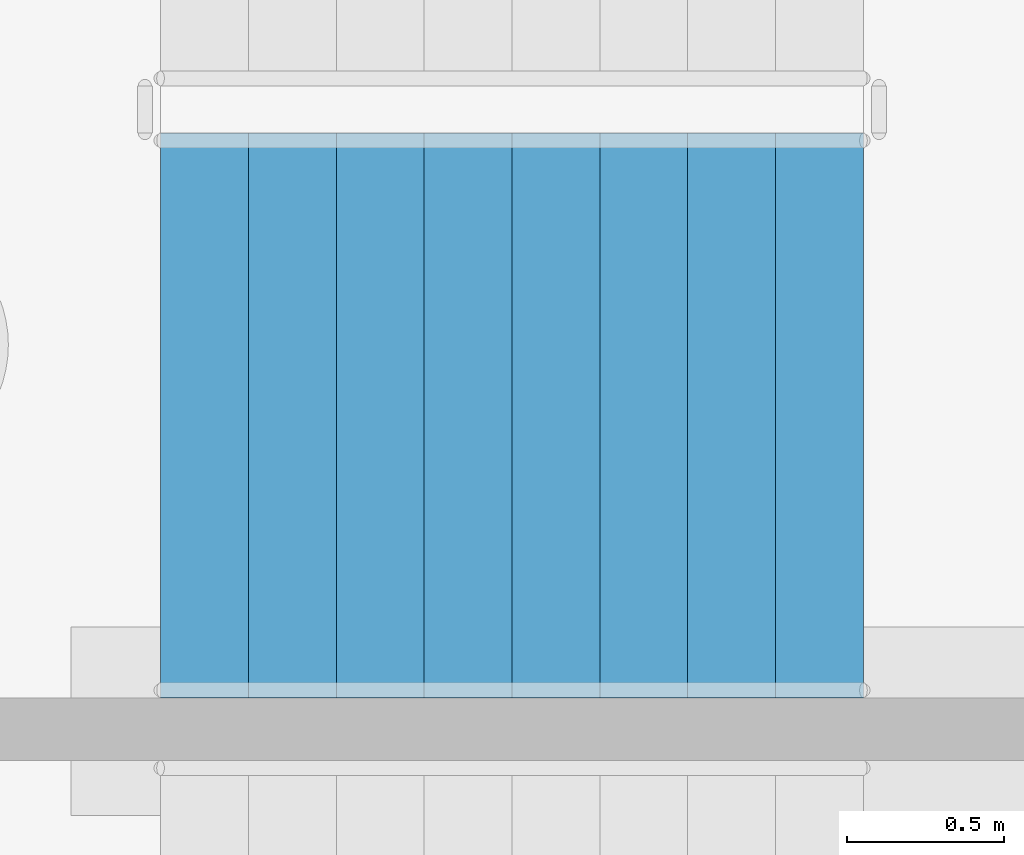
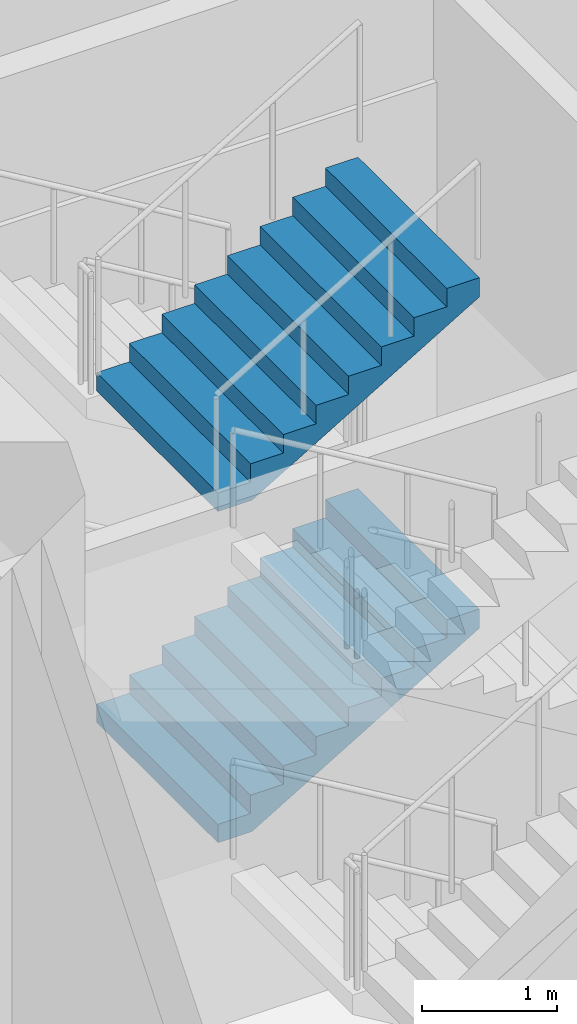
# One storey, part 21 of 39: 2 stair flights, 1 element without a shape of its own.
"""IFC4 building model written with IfcOpenShell, lengths in metres."""

import ifcopenshell
import ifcopenshell.guid

model = None  # the IFC model being written
_history = None  # IfcOwnerHistory: only IFC2X3 demands one
_inside = {}  # id of a spatial element -> (the spatial element, [elements in it])
_under = {}  # id of a project, library or spatial element -> (it, [spatial elements below it])
_declared = {}  # id of a project -> (the project, [libraries it declares])
_typed = {}  # id of a type object -> (the type object, [elements of that type])
_made_of = {}  # id of a material, layer set ... -> (it, [elements and type objects made of it])


def new_model(schema):
    """Start an empty IFC model of exactly this schema.

    Asked for "IFC4X3", IfcOpenShell would pick the latest addendum, in which some entities
    have other attributes; the version numbers below select the first issue.
    IFC2X3 requires an IfcOwnerHistory on every rooted entity: one is made here for all.
    """
    global model, _history
    if schema == "IFC4X3":
        model = ifcopenshell.file(schema_version=(4, 3, 0, 0))
    else:
        model = ifcopenshell.file(schema=schema)
    _inside.clear()
    _under.clear()
    _declared.clear()
    _typed.clear()
    _made_of.clear()
    _history = None
    if model.schema == "IFC2X3":
        org = make("IfcOrganization", Name="unknown")
        user = make(
            "IfcPersonAndOrganization",
            ThePerson=make("IfcPerson", FamilyName="unknown"),
            TheOrganization=org,
        )
        app = make(
            "IfcApplication",
            ApplicationDeveloper=org,
            Version="unknown",
            ApplicationFullName="unknown",
            ApplicationIdentifier="unknown",
        )
        _history = make(
            "IfcOwnerHistory",
            OwningUser=user,
            OwningApplication=app,
            ChangeAction="ADDED",
            CreationDate=0,
        )
    return model


def make(cls, **values):
    """One entity of the class cls with the attributes given. An attribute that is None is left unset."""
    return model.create_entity(
        cls, **{name: value for name, value in values.items() if value is not None}
    )


def rooted(cls, **values):
    """An entity with a GlobalId (a new one), such as an element, a storey or a relation."""
    return make(cls, GlobalId=ifcopenshell.guid.new(), OwnerHistory=_history, **values)


def si_unit(unit_type, name, prefix=None):
    """IfcSIUnit, for example si_unit("LENGTHUNIT", "METRE", prefix="MILLI")."""
    return make("IfcSIUnit", UnitType=unit_type, Prefix=prefix, Name=name)


def assignment(units):
    """IfcUnitAssignment: the units of a project."""
    return None if units is None else make("IfcUnitAssignment", Units=units)


def point(xyz):
    """IfcCartesianPoint."""
    return None if xyz is None else make("IfcCartesianPoint", Coordinates=xyz)


def direction(xyz):
    """IfcDirection."""
    return None if xyz is None else make("IfcDirection", DirectionRatios=xyz)


def frame(location, z_axis=None, x_axis=None):
    """IfcAxis2Placement3D, a coordinate frame: its origin and axes. An axis left out is left unset."""
    return make(
        "IfcAxis2Placement3D",
        Location=point(location),
        Axis=direction(z_axis),
        RefDirection=direction(x_axis),
    )


def origin():
    """The frame at (0, 0, 0) with its axes left unset."""
    return frame((0.0, 0.0, 0.0))


def place(relative_to, where):
    """IfcLocalPlacement: puts the frame where relative to a parent placement (None: the world)."""
    return make(
        "IfcLocalPlacement", PlacementRelTo=relative_to, RelativePlacement=where
    )


def context(
    kind, dimensions, precision=None, world=None, true_north=None, identifier=None
):
    """IfcGeometricRepresentationContext, for example the 3D "Model" context."""
    return make(
        "IfcGeometricRepresentationContext",
        ContextIdentifier=identifier,
        ContextType=kind,
        CoordinateSpaceDimension=dimensions,
        Precision=precision,
        WorldCoordinateSystem=world,
        TrueNorth=true_north,
    )


def subcontext(parent, identifier, kind, view, scale=None):
    """IfcGeometricRepresentationSubContext, for example "Body" below "Model"."""
    return make(
        "IfcGeometricRepresentationSubContext",
        ContextIdentifier=identifier,
        ContextType=kind,
        ParentContext=parent,
        TargetScale=scale,
        TargetView=view,
    )


def project(units=None, contexts=None):
    """IfcProject with its units and contexts."""
    return rooted(
        "IfcProject",
        Name="project",
        RepresentationContexts=contexts,
        UnitsInContext=assignment(units),
    )


def spatial(cls, under=None, at=None, **own):
    """A site, building, storey or space (cls), placed at a placement, below another one or the project."""
    s = rooted(cls, ObjectPlacement=at, **own)
    if under is not None:
        _under.setdefault(under.id(), (under, []))[1].append(s)
    return s


def point_list(points):
    """IfcCartesianPointList2D or 3D."""
    cls = (
        "IfcCartesianPointList2D" if len(points[0]) == 2 else "IfcCartesianPointList3D"
    )
    return make(cls, CoordList=points)


def triangles(points, corners, closed=None, point_numbers=None):
    """IfcTriangulatedFaceSet: each triangle names its three corners, points numbered from 1."""
    return make(
        "IfcTriangulatedFaceSet",
        Coordinates=point_list(points),
        Closed=closed,
        CoordIndex=corners,
        PnIndex=point_numbers,
    )


def shape(context_of_items, identifier, shape_type, items):
    """IfcShapeRepresentation: the items that make up one representation, for example the "Body"."""
    return make(
        "IfcShapeRepresentation",
        ContextOfItems=context_of_items,
        RepresentationIdentifier=identifier,
        RepresentationType=shape_type,
        Items=items,
    )


def material(Name=None, Category=None):
    """IfcMaterial."""
    return make("IfcMaterial", Name=Name, Category=Category)


def made_of(thing, what):
    """Note that an element or type object is made of a material, layer set ...; save() writes the relation."""
    if what is not None:
        _made_of.setdefault(what.id(), (what, []))[1].append(thing)
    return thing


def type_object(cls, material=None, **own):
    """A type object (cls), such as IfcWallType, which elements share."""
    return made_of(rooted(cls, **own), material)


def element(
    cls,
    number,
    at=None,
    inside=None,
    cuts=None,
    type_object=None,
    material=None,
    context=None,
    identifier="Body",
    shape_type=None,
    held_by="IfcProductDefinitionShape",
    body=None,
    shapes=None,
    **own,
):
    """One element of the class cls, such as IfcWall. Its Tag is "e" and its number.

    at: its placement. inside: the storey or other place that contains it. cuts: it is an
    opening in that element (IfcRelVoidsElement). A single representation is given by context,
    identifier, shape_type and body (its items); several are given by shapes. held_by: the class
    of the entity that holds the representations. save() writes the other relations.
    """
    e = rooted(cls, Tag="e%d" % number, ObjectPlacement=at, **own)
    if body is not None:
        shapes = [shape(context, identifier, shape_type, body)]
    if shapes is not None:
        e.Representation = make(held_by, Representations=shapes)
    if inside is not None:
        _inside.setdefault(inside.id(), (inside, []))[1].append(e)
    if cuts is not None:
        rooted(
            "IfcRelVoidsElement", RelatingBuildingElement=cuts, RelatedOpeningElement=e
        )
    if type_object is not None:
        _typed.setdefault(type_object.id(), (type_object, []))[1].append(e)
    return made_of(e, material)


def aggregate(whole, parts):
    """IfcRelAggregates: a whole, such as a stair, and the parts it consists of."""
    return rooted("IfcRelAggregates", RelatingObject=whole, RelatedObjects=parts)


def save(model, path):
    """Write the relations noted so far, then the file.

    IfcRelAggregates (storeys below a building ...), IfcRelContainedInSpatialStructure (elements
    in a storey), IfcRelDefinesByType, IfcRelAssociatesMaterial and IfcRelDeclares: one each for
    every whole, place, type object, material and project.
    """
    for whole, parts in _under.values():
        aggregate(whole, parts)
    for where, things in _inside.values():
        rooted(
            "IfcRelContainedInSpatialStructure",
            RelatedElements=things,
            RelatingStructure=where,
        )
    for kind, things in _typed.values():
        rooted("IfcRelDefinesByType", RelatedObjects=things, RelatingType=kind)
    for what, things in _made_of.values():
        rooted("IfcRelAssociatesMaterial", RelatedObjects=things, RelatingMaterial=what)
    for by, libraries in _declared.values():
        rooted("IfcRelDeclares", RelatingContext=by, RelatedDefinitions=libraries)
    model.write(path)


model = new_model("IFC4")

# Units and contexts
model_context = context("Model", 3, precision=1e-05, world=origin(), true_north=direction((0.0, 1.0)))
body_context = subcontext(model_context, "Body", "Model", "MODEL_VIEW")
ifc_project = project(units=[si_unit("LENGTHUNIT", "METRE"), si_unit("AREAUNIT", "SQUARE_METRE"), si_unit("VOLUMEUNIT", "CUBIC_METRE"), si_unit("PLANEANGLEUNIT", "RADIAN"), si_unit("MASSUNIT", "GRAM", prefix="KILO")], contexts=[model_context])

# Site, building, storey
site_placement = place(None, origin())
site = spatial("IfcSite", under=ifc_project, at=site_placement, CompositionType="ELEMENT")
building_placement = place(site_placement, origin())
building = spatial("IfcBuilding", under=site, at=building_placement, Name="Magnolia Steps Interchange", CompositionType="ELEMENT")
storey_placement = place(building_placement, frame((0.0, 0.0, -11.39990234375)))
storey = spatial("IfcBuildingStorey", under=building, at=storey_placement, Name="B2", CompositionType="ELEMENT", Elevation=-11.39990234375)

# Stair, stair flights
ifc_material_1 = material(Name="Concrete C40", Category="concrete")
stair_type = type_object("IfcStairType", Name="Exit stair 1800", PredefinedType="HALF_TURN_STAIR", material=ifc_material_1)
stair_placement = place(storey_placement, origin())
stair = element("IfcStair", 1, at=stair_placement, inside=storey, type_object=stair_type, Name="B2 Stair 12", PredefinedType="HALF_TURN_STAIR")
ifc_material_2 = material(Name="Concrete C40", Category="concrete")
stair_flight_type = type_object("IfcStairFlightType", Name="Exit stair flight", PredefinedType="STRAIGHT", material=ifc_material_2)
stair_flight_1_placement = place(storey_placement, frame((98.485107421875, 64.97509765625, 1.5), z_axis=(0.0, 0.0, 1.0), x_axis=(1.0, 0.0, 0.0)))
stair_flight_1 = element("IfcStairFlight", 2, at=stair_flight_1_placement, type_object=stair_flight_type, Name="Stair 12 flight 2", NumberOfRisers=9, NumberOfTreads=8, PredefinedType="STRAIGHT", RiserHeight=0.166666667, TreadLength=0.28, context=body_context, shape_type="Tessellation", body=[
    triangles([(0.0, -0.9000244140625, 0.0), (0.29296875, -0.9000244140625, 0.0), (2.239990234375, -0.9000244140625, 1.158935546875), (2.239990234375, -0.9000244140625, 1.333251953125), (1.9599609375, -0.9000244140625, 1.333251953125), (1.9599609375, -0.9000244140625, 1.166748046875), (1.679931640625, -0.9000244140625, 1.166748046875), (1.679931640625, -0.9000244140625, 1.0), (1.39990234375, -0.9000244140625, 1.0), (1.39990234375, -0.9000244140625, 0.833251953125), (1.1201171875, -0.9000244140625, 0.833251953125), (1.1201171875, -0.9000244140625, 0.666748046875), (0.840087890625, -0.9000244140625, 0.666748046875), (0.840087890625, -0.9000244140625, 0.5), (0.56005859375, -0.9000244140625, 0.5), (0.56005859375, -0.9000244140625, 0.333251953125), (0.280029296875, -0.9000244140625, 0.333251953125), (0.280029296875, -0.9000244140625, 0.166748046875), (0.0, -0.9000244140625, 0.166748046875), (0.0, 0.9000244140625, 0.0), (0.29296875, 0.9000244140625, 0.0), (2.239990234375, 0.9000244140625, 1.158935546875), (2.239990234375, 0.9000244140625, 1.333251953125), (1.9599609375, 0.9000244140625, 1.333251953125), (1.9599609375, 0.9000244140625, 1.166748046875), (1.679931640625, 0.9000244140625, 1.166748046875), (1.679931640625, 0.9000244140625, 1.0), (1.39990234375, 0.9000244140625, 1.0), (1.39990234375, 0.9000244140625, 0.833251953125), (1.1201171875, 0.9000244140625, 0.833251953125), (1.1201171875, 0.9000244140625, 0.666748046875), (0.840087890625, 0.9000244140625, 0.666748046875), (0.840087890625, 0.9000244140625, 0.5), (0.56005859375, 0.9000244140625, 0.5), (0.56005859375, 0.9000244140625, 0.333251953125), (0.280029296875, 0.9000244140625, 0.333251953125), (0.280029296875, 0.9000244140625, 0.166748046875), (0.0, 0.9000244140625, 0.166748046875), (0.0, 0.0, 0.0), (0.0, 0.0, 0.04168701171875), (0.0, 0.0, 0.0833740234375), (0.0, 0.0, 0.12506103515625), (0.0, 0.0, 0.166748046875), (0.0, -0.05, 0.0), (0.0, -0.05, 0.166748046875), (0.0, 0.05, 0.0), (0.0, 0.05, 0.166748046875), (0.046671549479166664, 0.0, 0.166748046875), (0.09334309895833333, 0.0, 0.166748046875), (0.1400146484375, 0.0, 0.166748046875), (0.18668619791666666, 0.0, 0.166748046875), (0.23335774739583334, 0.0, 0.166748046875), (0.280029296875, 0.0, 0.166748046875), (0.280029296875, -0.05, 0.166748046875), (0.280029296875, 0.05, 0.166748046875), (0.280029296875, 0.0, 0.2083740234375), (0.280029296875, 0.0, 0.25), (0.280029296875, 0.0, 0.2916259765625), (0.280029296875, 0.0, 0.333251953125), (0.280029296875, -0.05, 0.333251953125), (0.280029296875, 0.05, 0.333251953125), (0.3267008463541667, 0.0, 0.333251953125), (0.3733723958333333, 0.0, 0.333251953125), (0.4200439453125, 0.0, 0.333251953125), (0.46671549479166663, 0.0, 0.333251953125), (0.5133870442708334, 0.0, 0.333251953125), (0.56005859375, 0.0, 0.333251953125), (0.56005859375, -0.05, 0.333251953125), (0.56005859375, 0.05, 0.333251953125), (0.56005859375, 0.0, 0.37493896484375), (0.56005859375, 0.0, 0.4166259765625), (0.56005859375, 0.0, 0.45831298828125), (0.56005859375, 0.0, 0.5), (0.56005859375, -0.05, 0.5), (0.56005859375, 0.05, 0.5), (0.6067301432291666, 0.0, 0.5), (0.6534016927083334, 0.0, 0.5), (0.7000732421875, 0.0, 0.5), (0.7467447916666666, 0.0, 0.5), (0.7934163411458334, 0.0, 0.5), (0.840087890625, 0.0, 0.5), (0.840087890625, -0.05, 0.5), (0.840087890625, 0.05, 0.5), (0.840087890625, 0.0, 0.54168701171875), (0.840087890625, 0.0, 0.5833740234375), (0.840087890625, 0.0, 0.62506103515625), (0.840087890625, 0.0, 0.666748046875), (0.840087890625, -0.05, 0.666748046875), (0.840087890625, 0.05, 0.666748046875), (0.8867594401041666, 0.0, 0.666748046875), (0.9334309895833334, 0.0, 0.666748046875), (0.9801025390625, 0.0, 0.666748046875), (1.0267740885416667, 0.0, 0.666748046875), (1.0734456380208333, 0.0, 0.666748046875), (1.1201171875, 0.0, 0.666748046875), (1.1201171875, -0.05, 0.666748046875), (1.1201171875, 0.05, 0.666748046875), (1.1201171875, 0.0, 0.7083740234375), (1.1201171875, 0.0, 0.75), (1.1201171875, 0.0, 0.7916259765625), (1.1201171875, 0.0, 0.833251953125), (1.1201171875, -0.05, 0.833251953125), (1.1201171875, 0.05, 0.833251953125), (1.1900634765625, 0.0, 0.833251953125), (1.260009765625, 0.0, 0.833251953125), (1.3299560546875, 0.0, 0.833251953125), (1.39990234375, 0.0, 0.833251953125), (1.39990234375, -0.05, 0.833251953125), (1.39990234375, 0.05, 0.833251953125), (1.39990234375, 0.0, 0.87493896484375), (1.39990234375, 0.0, 0.9166259765625), (1.39990234375, 0.0, 0.95831298828125), (1.39990234375, 0.0, 1.0), (1.39990234375, -0.05, 1.0), (1.39990234375, 0.05, 1.0), (1.4465738932291667, 0.0, 1.0), (1.4932454427083333, 0.0, 1.0), (1.5399169921875, 0.0, 1.0), (1.5865885416666667, 0.0, 1.0), (1.6332600911458333, 0.0, 1.0), (1.679931640625, 0.0, 1.0), (1.679931640625, -0.05, 1.0), (1.679931640625, 0.05, 1.0), (1.679931640625, 0.0, 1.04168701171875), (1.679931640625, 0.0, 1.0833740234375), (1.679931640625, 0.0, 1.12506103515625), (1.679931640625, 0.0, 1.166748046875), (1.679931640625, -0.05, 1.166748046875), (1.679931640625, 0.05, 1.166748046875), (1.7266031901041667, 0.0, 1.166748046875), (1.7732747395833333, 0.0, 1.166748046875), (1.8199462890625, 0.0, 1.166748046875), (1.8666178385416667, 0.0, 1.166748046875), (1.9132893880208333, 0.0, 1.166748046875), (1.9599609375, 0.0, 1.166748046875), (1.9599609375, -0.05, 1.166748046875), (1.9599609375, 0.05, 1.166748046875), (1.9599609375, 0.0, 1.2083740234375), (1.9599609375, 0.0, 1.25), (1.9599609375, 0.0, 1.2916259765625), (1.9599609375, 0.0, 1.333251953125), (1.9599609375, -0.05, 1.333251953125), (1.9599609375, 0.05, 1.333251953125), (2.0066324869791665, 0.0, 1.333251953125), (2.0533040364583335, 0.0, 1.333251953125), (2.0999755859375, 0.0, 1.333251953125), (2.1466471354166665, 0.0, 1.333251953125), (2.1933186848958335, 0.0, 1.333251953125), (2.239990234375, 0.0, 1.333251953125), (2.239990234375, -0.05, 1.333251953125), (2.239990234375, 0.05, 1.333251953125), (2.239990234375, 0.0, 1.2896728515625), (2.239990234375, 0.0, 1.24609375), (2.239990234375, 0.0, 1.2025146484375), (2.239990234375, 0.0, 1.158935546875), (2.239990234375, -0.05, 1.158935546875), (2.239990234375, 0.05, 1.158935546875), (2.1827248965992645, 0.0, 1.1248492072610294), (2.1254595588235294, 0.0, 1.0907628676470589), (2.068194221047794, 0.0, 1.0566765280330883), (2.010928883272059, 0.0, 1.0225901884191178), (1.9536635454963236, 0.0, 0.9885038488051471), (1.8963982077205883, 0.0, 0.9544175091911764), (1.8391328699448528, 0.0, 0.9203311695772058), (1.7818675321691178, 0.0, 0.8862448299632353), (1.7246021943933822, 0.0, 0.8521584903492647), (1.6673368566176472, 0.0, 0.8180721507352942), (1.6100715188419117, 0.0, 0.7839858111213236), (1.5528061810661766, 0.0, 0.7498994715073529), (1.4955408432904411, 0.0, 0.7158131318933824), (1.4382755055147058, 0.0, 0.6817267922794117), (1.3810101677389706, 0.0, 0.6476404526654411), (1.3237448299632353, 0.0, 0.6135541130514706), (1.2664794921875, 0.0, 0.5794677734375), (1.2092141544117647, 0.0, 0.5453814338235294), (1.1519488166360294, 0.0, 0.5112950942095589), (1.0946834788602942, 0.0, 0.4772087545955882), (1.0374181410845589, 0.0, 0.44312241498161764), (0.9801528033088236, 0.0, 0.4090360753676471), (0.9228874655330883, 0.0, 0.3749497357536765), (0.865622127757353, 0.0, 0.34086339613970584), (0.8083567899816178, 0.0, 0.3067770565257353), (0.7510914522058822, 0.0, 0.2726907169117647), (0.693826114430147, 0.0, 0.23860437729779416), (0.6365607766544117, 0.0, 0.20451803768382348), (0.5792954388786764, 0.0, 0.17043169806985292), (0.5220301011029411, 0.0, 0.13634535845588225), (0.46476476332720584, 0.0, 0.10225901884191169), (0.40749942555147056, 0.0, 0.06817267922794112), (0.3502340877757353, 0.0, 0.03408633961397056), (0.29296875, 0.0, 0.0), (0.29296875, -0.05, 0.0), (0.29296875, 0.05, 0.0), (0.244140625, 0.0, 0.0), (0.1953125, 0.0, 0.0), (0.146484375, 0.0, 0.0), (0.09765625, 0.0, 0.0), (0.048828125, 0.0, 0.0)], [[1, 2, 3], [3, 4, 5], [3, 5, 6], [3, 6, 7], [3, 7, 8], [8, 9, 10], [3, 8, 10], [10, 11, 12], [3, 10, 12], [12, 13, 14], [3, 12, 14], [14, 15, 16], [3, 14, 16], [1, 3, 16], [16, 17, 18], [1, 16, 18], [18, 19, 1], [20, 22, 21], [22, 24, 23], [22, 25, 24], [22, 26, 25], [22, 27, 26], [27, 29, 28], [22, 29, 27], [29, 31, 30], [22, 31, 29], [31, 33, 32], [22, 33, 31], [33, 35, 34], [22, 35, 33], [20, 35, 22], [35, 37, 36], [20, 37, 35], [37, 20, 38], [1, 19, 45], [1, 45, 44], [44, 40, 39], [44, 41, 40], [44, 45, 41], [45, 42, 41], [45, 43, 42], [20, 47, 38], [20, 46, 47], [46, 39, 40], [46, 40, 41], [46, 41, 47], [47, 41, 42], [47, 42, 43], [19, 18, 54], [19, 54, 45], [45, 48, 43], [45, 49, 48], [45, 50, 49], [45, 54, 50], [54, 51, 50], [54, 52, 51], [54, 53, 52], [38, 55, 37], [38, 47, 55], [47, 43, 48], [47, 48, 49], [47, 49, 50], [47, 50, 55], [55, 50, 51], [55, 51, 52], [55, 52, 53], [18, 17, 60], [18, 60, 54], [54, 56, 53], [54, 57, 56], [54, 60, 57], [60, 58, 57], [60, 59, 58], [37, 61, 36], [37, 55, 61], [55, 53, 56], [55, 56, 57], [55, 57, 61], [61, 57, 58], [61, 58, 59], [17, 16, 68], [17, 68, 60], [60, 62, 59], [60, 63, 62], [60, 64, 63], [60, 68, 64], [68, 65, 64], [68, 66, 65], [68, 67, 66], [36, 69, 35], [36, 61, 69], [61, 59, 62], [61, 62, 63], [61, 63, 64], [61, 64, 69], [69, 64, 65], [69, 65, 66], [69, 66, 67], [16, 15, 74], [16, 74, 68], [68, 70, 67], [68, 71, 70], [68, 74, 71], [74, 72, 71], [74, 73, 72], [35, 75, 34], [35, 69, 75], [69, 67, 70], [69, 70, 71], [69, 71, 75], [75, 71, 72], [75, 72, 73], [15, 14, 82], [15, 82, 74], [74, 76, 73], [74, 77, 76], [74, 78, 77], [74, 82, 78], [82, 79, 78], [82, 80, 79], [82, 81, 80], [34, 83, 33], [34, 75, 83], [75, 73, 76], [75, 76, 77], [75, 77, 78], [75, 78, 83], [83, 78, 79], [83, 79, 80], [83, 80, 81], [14, 13, 88], [14, 88, 82], [82, 84, 81], [82, 85, 84], [82, 88, 85], [88, 86, 85], [88, 87, 86], [33, 89, 32], [33, 83, 89], [83, 81, 84], [83, 84, 85], [83, 85, 89], [89, 85, 86], [89, 86, 87], [13, 12, 96], [13, 96, 88], [88, 90, 87], [88, 91, 90], [88, 92, 91], [88, 96, 92], [96, 93, 92], [96, 94, 93], [96, 95, 94], [32, 97, 31], [32, 89, 97], [89, 87, 90], [89, 90, 91], [89, 91, 92], [89, 92, 97], [97, 92, 93], [97, 93, 94], [97, 94, 95], [12, 11, 102], [12, 102, 96], [96, 98, 95], [96, 99, 98], [96, 102, 99], [102, 100, 99], [102, 101, 100], [31, 103, 30], [31, 97, 103], [97, 95, 98], [97, 98, 99], [97, 99, 103], [103, 99, 100], [103, 100, 101], [11, 10, 108], [11, 108, 102], [102, 104, 101], [102, 105, 104], [102, 108, 105], [108, 106, 105], [108, 107, 106], [30, 109, 29], [30, 103, 109], [103, 101, 104], [103, 104, 105], [103, 105, 109], [109, 105, 106], [109, 106, 107], [10, 9, 114], [10, 114, 108], [108, 110, 107], [108, 111, 110], [108, 114, 111], [114, 112, 111], [114, 113, 112], [29, 115, 28], [29, 109, 115], [109, 107, 110], [109, 110, 111], [109, 111, 115], [115, 111, 112], [115, 112, 113], [9, 8, 122], [9, 122, 114], [114, 116, 113], [114, 117, 116], [114, 118, 117], [114, 122, 118], [122, 119, 118], [122, 120, 119], [122, 121, 120], [28, 123, 27], [28, 115, 123], [115, 113, 116], [115, 116, 117], [115, 117, 118], [115, 118, 123], [123, 118, 119], [123, 119, 120], [123, 120, 121], [8, 7, 128], [8, 128, 122], [122, 124, 121], [122, 125, 124], [122, 128, 125], [128, 126, 125], [128, 127, 126], [27, 129, 26], [27, 123, 129], [123, 121, 124], [123, 124, 125], [123, 125, 129], [129, 125, 126], [129, 126, 127], [7, 6, 136], [7, 136, 128], [128, 130, 127], [128, 131, 130], [128, 132, 131], [128, 136, 132], [136, 133, 132], [136, 134, 133], [136, 135, 134], [26, 137, 25], [26, 129, 137], [129, 127, 130], [129, 130, 131], [129, 131, 132], [129, 132, 137], [137, 132, 133], [137, 133, 134], [137, 134, 135], [6, 5, 142], [6, 142, 136], [136, 138, 135], [136, 139, 138], [136, 142, 139], [142, 140, 139], [142, 141, 140], [25, 143, 24], [25, 137, 143], [137, 135, 138], [137, 138, 139], [137, 139, 143], [143, 139, 140], [143, 140, 141], [5, 4, 150], [5, 150, 142], [142, 144, 141], [142, 145, 144], [142, 146, 145], [142, 150, 146], [150, 147, 146], [150, 148, 147], [150, 149, 148], [24, 151, 23], [24, 143, 151], [143, 141, 144], [143, 144, 145], [143, 145, 146], [143, 146, 151], [151, 146, 147], [151, 147, 148], [151, 148, 149], [4, 3, 156], [4, 156, 150], [150, 152, 149], [150, 153, 152], [150, 156, 153], [156, 154, 153], [156, 155, 154], [23, 157, 22], [23, 151, 157], [151, 149, 152], [151, 152, 153], [151, 153, 157], [157, 153, 154], [157, 154, 155], [3, 2, 192], [3, 192, 156], [156, 158, 155], [156, 159, 158], [156, 160, 159], [156, 161, 160], [156, 162, 161], [156, 163, 162], [156, 164, 163], [156, 165, 164], [156, 166, 165], [156, 167, 166], [156, 168, 167], [156, 169, 168], [156, 170, 169], [156, 171, 170], [156, 172, 171], [156, 173, 172], [156, 174, 173], [156, 192, 174], [192, 175, 174], [192, 176, 175], [192, 177, 176], [192, 178, 177], [192, 179, 178], [192, 180, 179], [192, 181, 180], [192, 182, 181], [192, 183, 182], [192, 184, 183], [192, 185, 184], [192, 186, 185], [192, 187, 186], [192, 188, 187], [192, 189, 188], [192, 190, 189], [192, 191, 190], [22, 193, 21], [22, 157, 193], [157, 155, 158], [157, 158, 159], [157, 159, 160], [157, 160, 161], [157, 161, 162], [157, 162, 163], [157, 163, 164], [157, 164, 165], [157, 165, 166], [157, 166, 167], [157, 167, 168], [157, 168, 169], [157, 169, 170], [157, 170, 171], [157, 171, 172], [157, 172, 173], [157, 173, 174], [157, 174, 193], [193, 174, 175], [193, 175, 176], [193, 176, 177], [193, 177, 178], [193, 178, 179], [193, 179, 180], [193, 180, 181], [193, 181, 182], [193, 182, 183], [193, 183, 184], [193, 184, 185], [193, 185, 186], [193, 186, 187], [193, 187, 188], [193, 188, 189], [193, 189, 190], [193, 190, 191], [2, 1, 44], [2, 44, 192], [192, 194, 191], [192, 195, 194], [192, 196, 195], [192, 44, 196], [44, 197, 196], [44, 198, 197], [44, 39, 198], [21, 46, 20], [21, 193, 46], [193, 191, 194], [193, 194, 195], [193, 195, 196], [193, 196, 46], [46, 196, 197], [46, 197, 198], [46, 198, 39]], closed=True),
])
stair_flight_2_placement = place(storey_placement, frame((98.485107421875, 64.97509765625, 4.5), z_axis=(0.0, 0.0, 1.0), x_axis=(1.0, 0.0, 0.0)))
stair_flight_2 = element("IfcStairFlight", 3, at=stair_flight_2_placement, type_object=stair_flight_type, Name="Stair 12 flight 4", NumberOfRisers=9, NumberOfTreads=8, PredefinedType="STRAIGHT", RiserHeight=0.166666667, TreadLength=0.28, context=body_context, shape_type="Tessellation", body=[
    triangles([(0.0, -0.9000244140625, 0.0), (0.29296875, -0.9000244140625, 0.0), (2.239990234375, -0.9000244140625, 1.158935546875), (2.239990234375, -0.9000244140625, 1.333251953125), (1.9599609375, -0.9000244140625, 1.333251953125), (1.9599609375, -0.9000244140625, 1.166748046875), (1.679931640625, -0.9000244140625, 1.166748046875), (1.679931640625, -0.9000244140625, 1.0), (1.39990234375, -0.9000244140625, 1.0), (1.39990234375, -0.9000244140625, 0.833251953125), (1.1201171875, -0.9000244140625, 0.833251953125), (1.1201171875, -0.9000244140625, 0.666748046875), (0.840087890625, -0.9000244140625, 0.666748046875), (0.840087890625, -0.9000244140625, 0.5), (0.56005859375, -0.9000244140625, 0.5), (0.56005859375, -0.9000244140625, 0.333251953125), (0.280029296875, -0.9000244140625, 0.333251953125), (0.280029296875, -0.9000244140625, 0.166748046875), (0.0, -0.9000244140625, 0.166748046875), (0.0, 0.9000244140625, 0.0), (0.29296875, 0.9000244140625, 0.0), (2.239990234375, 0.9000244140625, 1.158935546875), (2.239990234375, 0.9000244140625, 1.333251953125), (1.9599609375, 0.9000244140625, 1.333251953125), (1.9599609375, 0.9000244140625, 1.166748046875), (1.679931640625, 0.9000244140625, 1.166748046875), (1.679931640625, 0.9000244140625, 1.0), (1.39990234375, 0.9000244140625, 1.0), (1.39990234375, 0.9000244140625, 0.833251953125), (1.1201171875, 0.9000244140625, 0.833251953125), (1.1201171875, 0.9000244140625, 0.666748046875), (0.840087890625, 0.9000244140625, 0.666748046875), (0.840087890625, 0.9000244140625, 0.5), (0.56005859375, 0.9000244140625, 0.5), (0.56005859375, 0.9000244140625, 0.333251953125), (0.280029296875, 0.9000244140625, 0.333251953125), (0.280029296875, 0.9000244140625, 0.166748046875), (0.0, 0.9000244140625, 0.166748046875), (0.0, 0.0, 0.0), (0.0, 0.0, 0.04168701171875), (0.0, 0.0, 0.0833740234375), (0.0, 0.0, 0.12506103515625), (0.0, 0.0, 0.166748046875), (0.0, -0.05, 0.0), (0.0, -0.05, 0.166748046875), (0.0, 0.05, 0.0), (0.0, 0.05, 0.166748046875), (0.046671549479166664, 0.0, 0.166748046875), (0.09334309895833333, 0.0, 0.166748046875), (0.1400146484375, 0.0, 0.166748046875), (0.18668619791666666, 0.0, 0.166748046875), (0.23335774739583334, 0.0, 0.166748046875), (0.280029296875, 0.0, 0.166748046875), (0.280029296875, -0.05, 0.166748046875), (0.280029296875, 0.05, 0.166748046875), (0.280029296875, 0.0, 0.2083740234375), (0.280029296875, 0.0, 0.25), (0.280029296875, 0.0, 0.2916259765625), (0.280029296875, 0.0, 0.333251953125), (0.280029296875, -0.05, 0.333251953125), (0.280029296875, 0.05, 0.333251953125), (0.3267008463541667, 0.0, 0.333251953125), (0.3733723958333333, 0.0, 0.333251953125), (0.4200439453125, 0.0, 0.333251953125), (0.46671549479166663, 0.0, 0.333251953125), (0.5133870442708334, 0.0, 0.333251953125), (0.56005859375, 0.0, 0.333251953125), (0.56005859375, -0.05, 0.333251953125), (0.56005859375, 0.05, 0.333251953125), (0.56005859375, 0.0, 0.37493896484375), (0.56005859375, 0.0, 0.4166259765625), (0.56005859375, 0.0, 0.45831298828125), (0.56005859375, 0.0, 0.5), (0.56005859375, -0.05, 0.5), (0.56005859375, 0.05, 0.5), (0.6067301432291666, 0.0, 0.5), (0.6534016927083334, 0.0, 0.5), (0.7000732421875, 0.0, 0.5), (0.7467447916666666, 0.0, 0.5), (0.7934163411458334, 0.0, 0.5), (0.840087890625, 0.0, 0.5), (0.840087890625, -0.05, 0.5), (0.840087890625, 0.05, 0.5), (0.840087890625, 0.0, 0.54168701171875), (0.840087890625, 0.0, 0.5833740234375), (0.840087890625, 0.0, 0.62506103515625), (0.840087890625, 0.0, 0.666748046875), (0.840087890625, -0.05, 0.666748046875), (0.840087890625, 0.05, 0.666748046875), (0.8867594401041666, 0.0, 0.666748046875), (0.9334309895833334, 0.0, 0.666748046875), (0.9801025390625, 0.0, 0.666748046875), (1.0267740885416667, 0.0, 0.666748046875), (1.0734456380208333, 0.0, 0.666748046875), (1.1201171875, 0.0, 0.666748046875), (1.1201171875, -0.05, 0.666748046875), (1.1201171875, 0.05, 0.666748046875), (1.1201171875, 0.0, 0.7083740234375), (1.1201171875, 0.0, 0.75), (1.1201171875, 0.0, 0.7916259765625), (1.1201171875, 0.0, 0.833251953125), (1.1201171875, -0.05, 0.833251953125), (1.1201171875, 0.05, 0.833251953125), (1.1900634765625, 0.0, 0.833251953125), (1.260009765625, 0.0, 0.833251953125), (1.3299560546875, 0.0, 0.833251953125), (1.39990234375, 0.0, 0.833251953125), (1.39990234375, -0.05, 0.833251953125), (1.39990234375, 0.05, 0.833251953125), (1.39990234375, 0.0, 0.87493896484375), (1.39990234375, 0.0, 0.9166259765625), (1.39990234375, 0.0, 0.95831298828125), (1.39990234375, 0.0, 1.0), (1.39990234375, -0.05, 1.0), (1.39990234375, 0.05, 1.0), (1.4465738932291667, 0.0, 1.0), (1.4932454427083333, 0.0, 1.0), (1.5399169921875, 0.0, 1.0), (1.5865885416666667, 0.0, 1.0), (1.6332600911458333, 0.0, 1.0), (1.679931640625, 0.0, 1.0), (1.679931640625, -0.05, 1.0), (1.679931640625, 0.05, 1.0), (1.679931640625, 0.0, 1.04168701171875), (1.679931640625, 0.0, 1.0833740234375), (1.679931640625, 0.0, 1.12506103515625), (1.679931640625, 0.0, 1.166748046875), (1.679931640625, -0.05, 1.166748046875), (1.679931640625, 0.05, 1.166748046875), (1.7266031901041667, 0.0, 1.166748046875), (1.7732747395833333, 0.0, 1.166748046875), (1.8199462890625, 0.0, 1.166748046875), (1.8666178385416667, 0.0, 1.166748046875), (1.9132893880208333, 0.0, 1.166748046875), (1.9599609375, 0.0, 1.166748046875), (1.9599609375, -0.05, 1.166748046875), (1.9599609375, 0.05, 1.166748046875), (1.9599609375, 0.0, 1.2083740234375), (1.9599609375, 0.0, 1.25), (1.9599609375, 0.0, 1.2916259765625), (1.9599609375, 0.0, 1.333251953125), (1.9599609375, -0.05, 1.333251953125), (1.9599609375, 0.05, 1.333251953125), (2.0066324869791665, 0.0, 1.333251953125), (2.0533040364583335, 0.0, 1.333251953125), (2.0999755859375, 0.0, 1.333251953125), (2.1466471354166665, 0.0, 1.333251953125), (2.1933186848958335, 0.0, 1.333251953125), (2.239990234375, 0.0, 1.333251953125), (2.239990234375, -0.05, 1.333251953125), (2.239990234375, 0.05, 1.333251953125), (2.239990234375, 0.0, 1.2896728515625), (2.239990234375, 0.0, 1.24609375), (2.239990234375, 0.0, 1.2025146484375), (2.239990234375, 0.0, 1.158935546875), (2.239990234375, -0.05, 1.158935546875), (2.239990234375, 0.05, 1.158935546875), (2.1827248965992645, 0.0, 1.1248492072610294), (2.1254595588235294, 0.0, 1.0907628676470589), (2.068194221047794, 0.0, 1.0566765280330883), (2.010928883272059, 0.0, 1.0225901884191178), (1.9536635454963236, 0.0, 0.9885038488051471), (1.8963982077205883, 0.0, 0.9544175091911764), (1.8391328699448528, 0.0, 0.9203311695772058), (1.7818675321691178, 0.0, 0.8862448299632353), (1.7246021943933822, 0.0, 0.8521584903492647), (1.6673368566176472, 0.0, 0.8180721507352942), (1.6100715188419117, 0.0, 0.7839858111213236), (1.5528061810661766, 0.0, 0.7498994715073529), (1.4955408432904411, 0.0, 0.7158131318933824), (1.4382755055147058, 0.0, 0.6817267922794117), (1.3810101677389706, 0.0, 0.6476404526654411), (1.3237448299632353, 0.0, 0.6135541130514706), (1.2664794921875, 0.0, 0.5794677734375), (1.2092141544117647, 0.0, 0.5453814338235294), (1.1519488166360294, 0.0, 0.5112950942095589), (1.0946834788602942, 0.0, 0.4772087545955882), (1.0374181410845589, 0.0, 0.44312241498161764), (0.9801528033088236, 0.0, 0.4090360753676471), (0.9228874655330883, 0.0, 0.3749497357536765), (0.865622127757353, 0.0, 0.34086339613970584), (0.8083567899816178, 0.0, 0.3067770565257353), (0.7510914522058822, 0.0, 0.2726907169117647), (0.693826114430147, 0.0, 0.23860437729779416), (0.6365607766544117, 0.0, 0.20451803768382348), (0.5792954388786764, 0.0, 0.17043169806985292), (0.5220301011029411, 0.0, 0.13634535845588225), (0.46476476332720584, 0.0, 0.10225901884191169), (0.40749942555147056, 0.0, 0.06817267922794112), (0.3502340877757353, 0.0, 0.03408633961397056), (0.29296875, 0.0, 0.0), (0.29296875, -0.05, 0.0), (0.29296875, 0.05, 0.0), (0.244140625, 0.0, 0.0), (0.1953125, 0.0, 0.0), (0.146484375, 0.0, 0.0), (0.09765625, 0.0, 0.0), (0.048828125, 0.0, 0.0)], [[1, 2, 3], [3, 4, 5], [3, 5, 6], [3, 6, 7], [3, 7, 8], [8, 9, 10], [3, 8, 10], [10, 11, 12], [3, 10, 12], [12, 13, 14], [3, 12, 14], [14, 15, 16], [3, 14, 16], [1, 3, 16], [16, 17, 18], [1, 16, 18], [18, 19, 1], [20, 22, 21], [22, 24, 23], [22, 25, 24], [22, 26, 25], [22, 27, 26], [27, 29, 28], [22, 29, 27], [29, 31, 30], [22, 31, 29], [31, 33, 32], [22, 33, 31], [33, 35, 34], [22, 35, 33], [20, 35, 22], [35, 37, 36], [20, 37, 35], [37, 20, 38], [1, 19, 45], [1, 45, 44], [44, 40, 39], [44, 41, 40], [44, 45, 41], [45, 42, 41], [45, 43, 42], [20, 47, 38], [20, 46, 47], [46, 39, 40], [46, 40, 41], [46, 41, 47], [47, 41, 42], [47, 42, 43], [19, 18, 54], [19, 54, 45], [45, 48, 43], [45, 49, 48], [45, 50, 49], [45, 54, 50], [54, 51, 50], [54, 52, 51], [54, 53, 52], [38, 55, 37], [38, 47, 55], [47, 43, 48], [47, 48, 49], [47, 49, 50], [47, 50, 55], [55, 50, 51], [55, 51, 52], [55, 52, 53], [18, 17, 60], [18, 60, 54], [54, 56, 53], [54, 57, 56], [54, 60, 57], [60, 58, 57], [60, 59, 58], [37, 61, 36], [37, 55, 61], [55, 53, 56], [55, 56, 57], [55, 57, 61], [61, 57, 58], [61, 58, 59], [17, 16, 68], [17, 68, 60], [60, 62, 59], [60, 63, 62], [60, 64, 63], [60, 68, 64], [68, 65, 64], [68, 66, 65], [68, 67, 66], [36, 69, 35], [36, 61, 69], [61, 59, 62], [61, 62, 63], [61, 63, 64], [61, 64, 69], [69, 64, 65], [69, 65, 66], [69, 66, 67], [16, 15, 74], [16, 74, 68], [68, 70, 67], [68, 71, 70], [68, 74, 71], [74, 72, 71], [74, 73, 72], [35, 75, 34], [35, 69, 75], [69, 67, 70], [69, 70, 71], [69, 71, 75], [75, 71, 72], [75, 72, 73], [15, 14, 82], [15, 82, 74], [74, 76, 73], [74, 77, 76], [74, 78, 77], [74, 82, 78], [82, 79, 78], [82, 80, 79], [82, 81, 80], [34, 83, 33], [34, 75, 83], [75, 73, 76], [75, 76, 77], [75, 77, 78], [75, 78, 83], [83, 78, 79], [83, 79, 80], [83, 80, 81], [14, 13, 88], [14, 88, 82], [82, 84, 81], [82, 85, 84], [82, 88, 85], [88, 86, 85], [88, 87, 86], [33, 89, 32], [33, 83, 89], [83, 81, 84], [83, 84, 85], [83, 85, 89], [89, 85, 86], [89, 86, 87], [13, 12, 96], [13, 96, 88], [88, 90, 87], [88, 91, 90], [88, 92, 91], [88, 96, 92], [96, 93, 92], [96, 94, 93], [96, 95, 94], [32, 97, 31], [32, 89, 97], [89, 87, 90], [89, 90, 91], [89, 91, 92], [89, 92, 97], [97, 92, 93], [97, 93, 94], [97, 94, 95], [12, 11, 102], [12, 102, 96], [96, 98, 95], [96, 99, 98], [96, 102, 99], [102, 100, 99], [102, 101, 100], [31, 103, 30], [31, 97, 103], [97, 95, 98], [97, 98, 99], [97, 99, 103], [103, 99, 100], [103, 100, 101], [11, 10, 108], [11, 108, 102], [102, 104, 101], [102, 105, 104], [102, 108, 105], [108, 106, 105], [108, 107, 106], [30, 109, 29], [30, 103, 109], [103, 101, 104], [103, 104, 105], [103, 105, 109], [109, 105, 106], [109, 106, 107], [10, 9, 114], [10, 114, 108], [108, 110, 107], [108, 111, 110], [108, 114, 111], [114, 112, 111], [114, 113, 112], [29, 115, 28], [29, 109, 115], [109, 107, 110], [109, 110, 111], [109, 111, 115], [115, 111, 112], [115, 112, 113], [9, 8, 122], [9, 122, 114], [114, 116, 113], [114, 117, 116], [114, 118, 117], [114, 122, 118], [122, 119, 118], [122, 120, 119], [122, 121, 120], [28, 123, 27], [28, 115, 123], [115, 113, 116], [115, 116, 117], [115, 117, 118], [115, 118, 123], [123, 118, 119], [123, 119, 120], [123, 120, 121], [8, 7, 128], [8, 128, 122], [122, 124, 121], [122, 125, 124], [122, 128, 125], [128, 126, 125], [128, 127, 126], [27, 129, 26], [27, 123, 129], [123, 121, 124], [123, 124, 125], [123, 125, 129], [129, 125, 126], [129, 126, 127], [7, 6, 136], [7, 136, 128], [128, 130, 127], [128, 131, 130], [128, 132, 131], [128, 136, 132], [136, 133, 132], [136, 134, 133], [136, 135, 134], [26, 137, 25], [26, 129, 137], [129, 127, 130], [129, 130, 131], [129, 131, 132], [129, 132, 137], [137, 132, 133], [137, 133, 134], [137, 134, 135], [6, 5, 142], [6, 142, 136], [136, 138, 135], [136, 139, 138], [136, 142, 139], [142, 140, 139], [142, 141, 140], [25, 143, 24], [25, 137, 143], [137, 135, 138], [137, 138, 139], [137, 139, 143], [143, 139, 140], [143, 140, 141], [5, 4, 150], [5, 150, 142], [142, 144, 141], [142, 145, 144], [142, 146, 145], [142, 150, 146], [150, 147, 146], [150, 148, 147], [150, 149, 148], [24, 151, 23], [24, 143, 151], [143, 141, 144], [143, 144, 145], [143, 145, 146], [143, 146, 151], [151, 146, 147], [151, 147, 148], [151, 148, 149], [4, 3, 156], [4, 156, 150], [150, 152, 149], [150, 153, 152], [150, 156, 153], [156, 154, 153], [156, 155, 154], [23, 157, 22], [23, 151, 157], [151, 149, 152], [151, 152, 153], [151, 153, 157], [157, 153, 154], [157, 154, 155], [3, 2, 192], [3, 192, 156], [156, 158, 155], [156, 159, 158], [156, 160, 159], [156, 161, 160], [156, 162, 161], [156, 163, 162], [156, 164, 163], [156, 165, 164], [156, 166, 165], [156, 167, 166], [156, 168, 167], [156, 169, 168], [156, 170, 169], [156, 171, 170], [156, 172, 171], [156, 173, 172], [156, 174, 173], [156, 192, 174], [192, 175, 174], [192, 176, 175], [192, 177, 176], [192, 178, 177], [192, 179, 178], [192, 180, 179], [192, 181, 180], [192, 182, 181], [192, 183, 182], [192, 184, 183], [192, 185, 184], [192, 186, 185], [192, 187, 186], [192, 188, 187], [192, 189, 188], [192, 190, 189], [192, 191, 190], [22, 193, 21], [22, 157, 193], [157, 155, 158], [157, 158, 159], [157, 159, 160], [157, 160, 161], [157, 161, 162], [157, 162, 163], [157, 163, 164], [157, 164, 165], [157, 165, 166], [157, 166, 167], [157, 167, 168], [157, 168, 169], [157, 169, 170], [157, 170, 171], [157, 171, 172], [157, 172, 173], [157, 173, 174], [157, 174, 193], [193, 174, 175], [193, 175, 176], [193, 176, 177], [193, 177, 178], [193, 178, 179], [193, 179, 180], [193, 180, 181], [193, 181, 182], [193, 182, 183], [193, 183, 184], [193, 184, 185], [193, 185, 186], [193, 186, 187], [193, 187, 188], [193, 188, 189], [193, 189, 190], [193, 190, 191], [2, 1, 44], [2, 44, 192], [192, 194, 191], [192, 195, 194], [192, 196, 195], [192, 44, 196], [44, 197, 196], [44, 198, 197], [44, 39, 198], [21, 46, 20], [21, 193, 46], [193, 191, 194], [193, 194, 195], [193, 195, 196], [193, 196, 46], [46, 196, 197], [46, 197, 198], [46, 198, 39]], closed=True),
])
aggregate(stair, [stair_flight_1, stair_flight_2])

save(model, "model.ifc")
